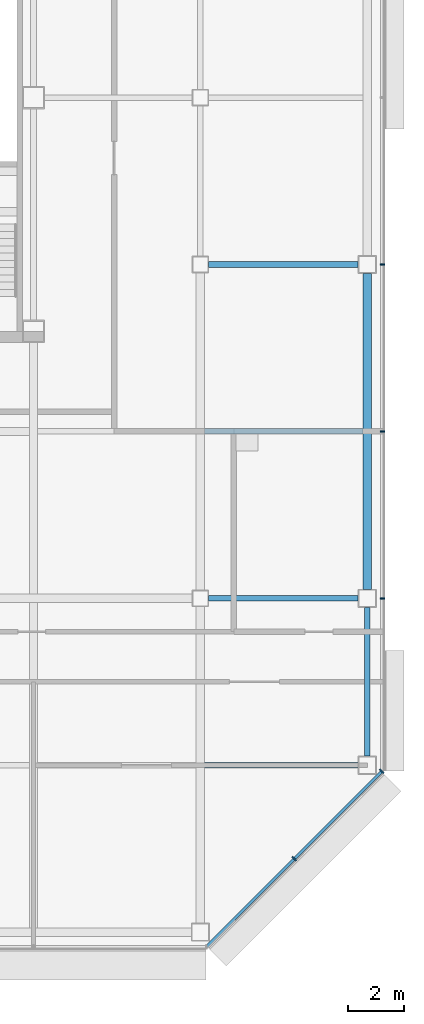
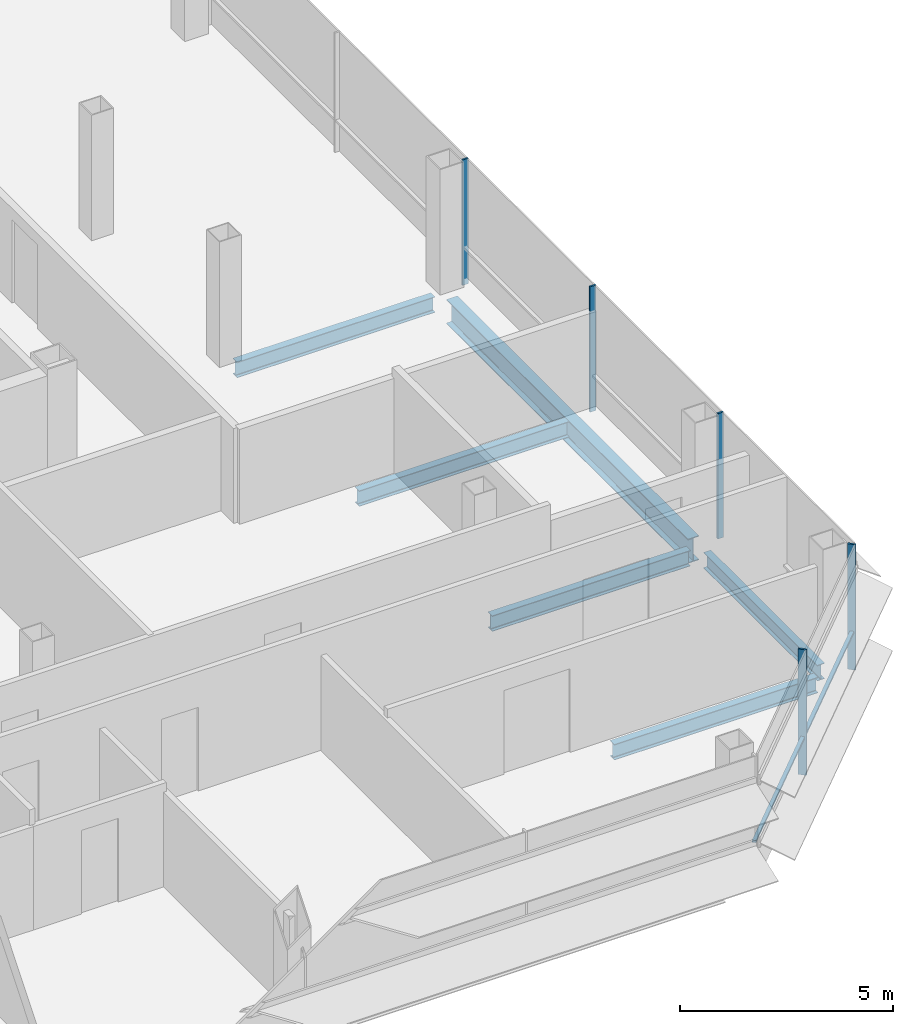
# One storey, part 16 of 27: 6 beams, 6 members, 2 elements without a shape of their own.
"""IFC4 building model written with IfcOpenShell, lengths in metres."""

from ifc_helpers import new_model, si_unit, direction, frame, origin, origin_2d, place, context, subcontext, project, spatial, rectangle, i_section, extrude, material, material_profile, profile_set, type_object, element, aggregate, save


model = new_model("IFC4")

# Units and contexts
model_context = context("Model", 3, precision=1e-05, world=origin(), true_north=direction((0.0, 1.0)))
body_context = subcontext(model_context, "Body", "Model", "MODEL_VIEW")
ifc_project = project(units=[si_unit("LENGTHUNIT", "METRE"), si_unit("AREAUNIT", "SQUARE_METRE"), si_unit("VOLUMEUNIT", "CUBIC_METRE"), si_unit("PLANEANGLEUNIT", "RADIAN"), si_unit("MASSUNIT", "GRAM", prefix="KILO")], contexts=[model_context])

# Site, building, storey
site_placement = place(None, origin())
site = spatial("IfcSite", under=ifc_project, at=site_placement, CompositionType="ELEMENT")
building_placement = place(site_placement, origin())
building = spatial("IfcBuilding", under=site, at=building_placement, Name="Sorahane Residences", CompositionType="ELEMENT")
storey_placement = place(building_placement, frame((0.0, 0.0, 226.199951171875)))
storey = spatial("IfcBuildingStorey", under=building, at=storey_placement, Name="L53", CompositionType="ELEMENT", Elevation=226.199951171875)

# Curtain wall, members
ifc_material_1 = material(Name="Dark low-e glass and black anodised aluminium", Category="aluminium")
curtain_wall_type_1 = type_object("IfcCurtainWallType", Name="Curtain wall CW-1 Typical unitised wall", PredefinedType="NOTDEFINED", material=ifc_material_1)
curtain_wall_1_placement = place(storey_placement, origin())
curtain_wall_1 = element("IfcCurtainWall", 1, at=curtain_wall_1_placement, inside=storey, type_object=curtain_wall_type_1, Name="CW-1 curtain wall L53 E1", PredefinedType="NOTDEFINED")
ifc_material_2 = material(Name="Black anodised aluminium", Category="aluminium")
ifc_material_profile_1 = material_profile(ifc_material_2, rectangle(XDim=0.159912109375, YDim=0.050048828125, at=origin_2d()), Name="Curtain wall mullion CW-1 black anodised aluminium 50x160")
ifc_profile_set_1 = profile_set([ifc_material_profile_1], Name="Black anodised aluminium")
member_type_1 = type_object("IfcMemberType", Name="Curtain wall mullion CW-1 black anodised aluminium 50x160", PredefinedType="MULLION", material=ifc_profile_set_1)
member_1_placement = place(storey_placement, frame((54.5400390625, 12.0, -0.179931640625), z_axis=(0.0, 0.0, 1.0), x_axis=(1.0, 0.0, 0.0)))
member_1 = element("IfcMember", 2, at=member_1_placement, type_object=member_type_1, Name="CW-1 mullion L53 E1.2", PredefinedType="MULLION", context=body_context, shape_type="SweptSolid", body=[
    extrude(rectangle(XDim=0.159912109375, YDim=0.050048828125, at=origin_2d()), origin(), (0.0, 0.0, 1.0), 3.60009765625),
])
member_2_placement = place(storey_placement, frame((54.5400390625, 18.0, -0.179931640625), z_axis=(0.0, 0.0, 1.0), x_axis=(1.0, 0.0, 0.0)))
member_2 = element("IfcMember", 3, at=member_2_placement, type_object=member_type_1, Name="CW-1 mullion L53 E1.3", PredefinedType="MULLION", context=body_context, shape_type="SweptSolid", body=[
    extrude(rectangle(XDim=0.159912109375, YDim=0.050048828125, at=origin_2d()), origin(), (0.0, 0.0, 1.0), 3.60009765625),
])
member_3_placement = place(storey_placement, frame((54.5400390625, 24.0, -0.179931640625), z_axis=(0.0, 0.0, 1.0), x_axis=(1.0, 0.0, 0.0)))
member_3 = element("IfcMember", 4, at=member_3_placement, type_object=member_type_1, Name="CW-1 mullion L53 E1.4", PredefinedType="MULLION", context=body_context, shape_type="SweptSolid", body=[
    extrude(rectangle(XDim=0.159912109375, YDim=0.050048828125, at=origin_2d()), origin(), (0.0, 0.0, 1.0), 3.60009765625),
])
aggregate(curtain_wall_1, [member_1, member_2, member_3])

ifc_material_3 = material(Name="Dark low-e glass and black anodised aluminium", Category="aluminium")
curtain_wall_type_2 = type_object("IfcCurtainWallType", Name="Curtain wall CW-2 Chamfer unitised wall", PredefinedType="NOTDEFINED", material=ifc_material_3)
curtain_wall_2_placement = place(storey_placement, origin())
curtain_wall_2 = element("IfcCurtainWall", 5, at=curtain_wall_2_placement, inside=storey, type_object=curtain_wall_type_2, Name="CW-2 curtain wall L53 SE1", PredefinedType="NOTDEFINED")
ifc_material_4 = material(Name="Black anodised aluminium", Category="aluminium")
ifc_material_profile_2 = material_profile(ifc_material_4, rectangle(XDim=0.199951171875, YDim=0.050048828125, at=origin_2d()), Name="Curtain wall mullion CW-2 black anodised aluminium 50x200")
ifc_profile_set_2 = profile_set([ifc_material_profile_2], Name="Black anodised aluminium")
member_type_2 = type_object("IfcMemberType", Name="Curtain wall mullion CW-2 black anodised aluminium 50x200", PredefinedType="MULLION", material=ifc_profile_set_2)
member_4_placement = place(storey_placement, frame((51.36767578125, 2.63232421875, -0.179931640625), z_axis=(0.0, 0.0, 1.0), x_axis=(0.707106781187, -0.707106781187, 0.0)))
member_4 = element("IfcMember", 6, at=member_4_placement, type_object=member_type_2, Name="CW-2 mullion L53 SE1.2", PredefinedType="MULLION", context=body_context, shape_type="SweptSolid", body=[
    extrude(rectangle(XDim=0.199951171875, YDim=0.050048828125, at=origin_2d()), origin(), (0.0, 0.0, 1.0), 3.60009765625),
])
member_5_placement = place(storey_placement, frame((54.525634765625, 5.790283203125, -0.179931640625), z_axis=(0.0, 0.0, 1.0), x_axis=(0.707106781187, -0.707106781187, 0.0)))
member_5 = element("IfcMember", 7, at=member_5_placement, type_object=member_type_2, Name="CW-2 mullion L53 SE1.3", PredefinedType="MULLION", context=body_context, shape_type="SweptSolid", body=[
    extrude(rectangle(XDim=0.199951171875, YDim=0.050048828125, at=origin_2d()), origin(), (0.0, 0.0, 1.0), 3.60009765625),
])
ifc_material_5 = material(Name="Black anodised aluminium", Category="aluminium")
ifc_material_profile_3 = material_profile(ifc_material_5, rectangle(XDim=0.10009765625, YDim=0.06005859375, at=origin_2d()), Name="Curtain wall transom CW-2 black anodised aluminium 60x100")
ifc_profile_set_3 = profile_set([ifc_material_profile_3], Name="Black anodised aluminium")
member_type_3 = type_object("IfcMemberType", Name="Curtain wall transom CW-2 black anodised aluminium 60x100", PredefinedType="USERDEFINED", material=ifc_profile_set_3)
member_6_placement = place(storey_placement, frame((48.234375, -0.51513671875, 0.900146484375), z_axis=(0.707106781187, 0.707106781187, 0.0), x_axis=(-0.707106781187, 0.707106781187, 0.0)))
member_6 = element("IfcMember", 8, at=member_6_placement, type_object=member_type_3, Name="CW-2 transom L53 SE1", ObjectType="TRANSOM", PredefinedType="USERDEFINED", context=body_context, shape_type="SweptSolid", body=[
    extrude(rectangle(XDim=0.10009765625, YDim=0.06005859375, at=origin_2d()), origin(), (0.0, 0.0, 1.0), 8.88232421875),
])
aggregate(curtain_wall_2, [member_4, member_5, member_6])

# Beams
ifc_material_6 = material(Name="Steel Q355B", Category="steel")
ifc_material_profile_4 = material_profile(ifc_material_6, i_section(OverallWidth=0.199951171875, OverallDepth=0.449951171875, WebThickness=0.009033203125, FlangeThickness=0.013916015625, FilletRadius=0.02001953125, at=origin_2d()), Name="HN 450x200x9x14")
ifc_profile_set_4 = profile_set([ifc_material_profile_4], Name="Steel Q355B")
beam_type_1 = type_object("IfcBeamType", Name="Steel floor beam HN 450x200x9x14 Q355B", PredefinedType="BEAM", material=ifc_profile_set_4)
for number, where, z_axis, x_axis, name in (
    (9, (48.300048828125, 12.0, -0.405029296875), (1.0, 0.0, 0.0), (0.0, 1.0, 0.0), "Beam L53 010"),
    (10, (48.300048828125, 24.0, -0.405029296875), (1.0, 0.0, 0.0), (0.0, 1.0, 0.0), "Beam L53 012"),
):
    element("IfcBeam", number, at=place(storey_placement, frame(where, z_axis=z_axis, x_axis=x_axis)), inside=storey, type_object=beam_type_1, Name=name, PredefinedType="BEAM", context=body_context, shape_type="SweptSolid", body=[
        extrude(i_section(OverallWidth=0.199951171875, OverallDepth=0.449951171875, WebThickness=0.009033203125, FlangeThickness=0.013916015625, FilletRadius=0.02001953125, at=origin_2d()), origin(), (0.0, 0.0, 1.0), 5.375),
    ])
beam_1_placement = place(storey_placement, frame((54.0, 6.324951171875, -0.405029296875), z_axis=(0.0, 1.0, 0.0), x_axis=(-1.0, 0.0, 0.0)))
element("IfcBeam", 11, at=beam_1_placement, inside=storey, type_object=beam_type_1, Name="Beam L53 064", PredefinedType="BEAM", context=body_context, shape_type="SweptSolid", body=[
    extrude(i_section(OverallWidth=0.199951171875, OverallDepth=0.449951171875, WebThickness=0.009033203125, FlangeThickness=0.013916015625, FilletRadius=0.02001953125, at=origin_2d()), origin(), (0.0, 0.0, 1.0), 5.35009765625),
])
beam_2_placement = place(storey_placement, frame((48.14990234375, 6.0, -0.405029296875), z_axis=(1.0, 0.0, 0.0), x_axis=(0.0, 1.0, 0.0)))
element("IfcBeam", 12, at=beam_2_placement, inside=storey, type_object=beam_type_1, Name="Beam L53 077", PredefinedType="BEAM", context=body_context, shape_type="SweptSolid", body=[
    extrude(i_section(OverallWidth=0.199951171875, OverallDepth=0.449951171875, WebThickness=0.009033203125, FlangeThickness=0.013916015625, FilletRadius=0.02001953125, at=origin_2d()), origin(), (0.0, 0.0, 1.0), 5.525146484375),
])
beam_3_placement = place(storey_placement, frame((48.14990234375, 18.0, -0.405029296875), z_axis=(1.0, 0.0, 0.0), x_axis=(0.0, 1.0, 0.0)))
element("IfcBeam", 13, at=beam_3_placement, inside=storey, type_object=beam_type_1, Name="Beam L53 084", PredefinedType="BEAM", context=body_context, shape_type="SweptSolid", body=[
    extrude(i_section(OverallWidth=0.199951171875, OverallDepth=0.449951171875, WebThickness=0.009033203125, FlangeThickness=0.013916015625, FilletRadius=0.02001953125, at=origin_2d()), origin(), (0.0, 0.0, 1.0), 5.7001953125),
])
ifc_material_7 = material(Name="Steel Q355B", Category="steel")
ifc_material_profile_5 = material_profile(ifc_material_7, i_section(OverallWidth=0.300048828125, OverallDepth=0.699951171875, WebThickness=0.012939453125, FlangeThickness=0.02392578125, FilletRadius=0.028076171875, at=origin_2d()), Name="HN 700x300x13x24")
ifc_profile_set_5 = profile_set([ifc_material_profile_5], Name="Steel Q355B")
beam_type_2 = type_object("IfcBeamType", Name="Steel floor beam HN 700x300x13x24 Q355B", PredefinedType="BEAM", material=ifc_profile_set_5)
beam_4_placement = place(storey_placement, frame((54.0, 12.324951171875, -0.530029296875), z_axis=(0.0, 1.0, 0.0), x_axis=(-1.0, 0.0, 0.0)))
element("IfcBeam", 14, at=beam_4_placement, inside=storey, type_object=beam_type_2, Name="Beam L53 065", PredefinedType="BEAM", context=body_context, shape_type="SweptSolid", body=[
    extrude(i_section(OverallWidth=0.300048828125, OverallDepth=0.699951171875, WebThickness=0.012939453125, FlangeThickness=0.02392578125, FilletRadius=0.028076171875, at=origin_2d()), origin(), (0.0, 0.0, 1.0), 11.35009765625),
])

save(model, "model.ifc")
